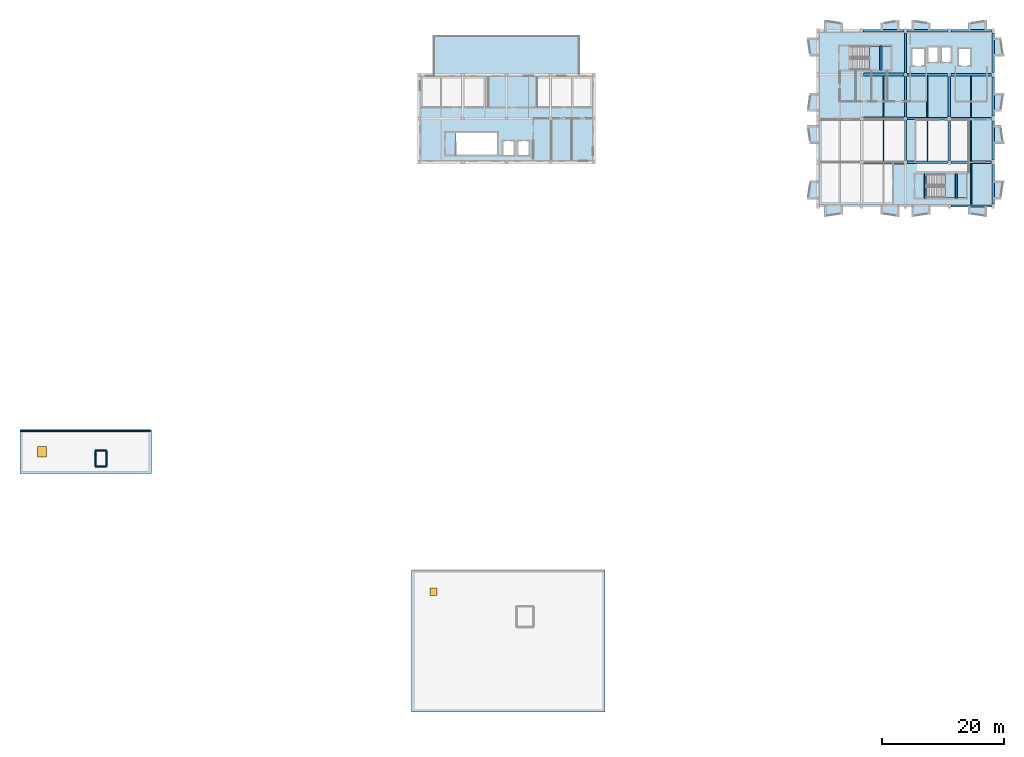
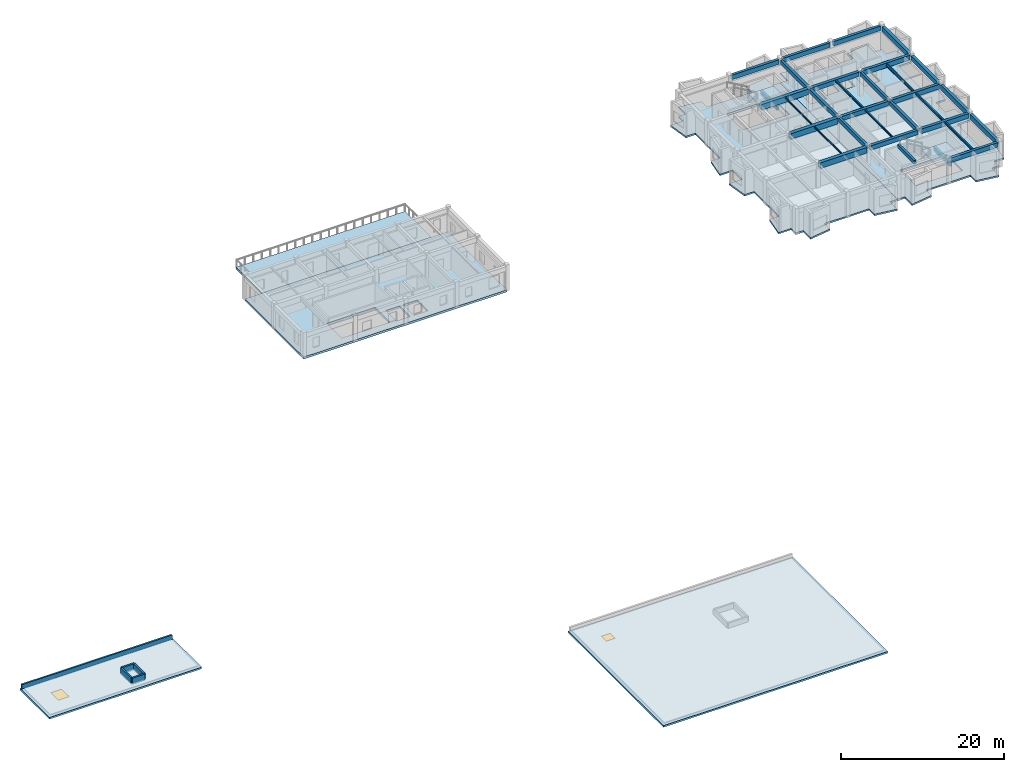
# One storey, part 2 of 12: 32 beams, 8 slabs, 5 walls, 2 windows, 2 openings, 2 elements without a shape of their own.
"""IFC4 building model written with IfcOpenShell, lengths in metres."""

from ifc_helpers import new_model, si_unit, direction, frame, frame_2d, origin, origin_2d, place, context, subcontext, project, spatial, polyline, rectangle, i_section, outline, extrude, material, layer, layer_set, material_profile, profile_set, type_object, element, fill, aggregate, save


model = new_model("IFC4")

# Units and contexts
model_context = context("Model", 3, precision=1e-05, world=origin(), true_north=direction((0.0, 1.0)))
body_context = subcontext(model_context, "Body", "Model", "MODEL_VIEW")
ifc_project = project(units=[si_unit("LENGTHUNIT", "METRE"), si_unit("AREAUNIT", "SQUARE_METRE"), si_unit("VOLUMEUNIT", "CUBIC_METRE"), si_unit("PLANEANGLEUNIT", "RADIAN"), si_unit("MASSUNIT", "GRAM", prefix="KILO")], contexts=[model_context])

# Site, building, storey
site_placement = place(None, origin())
site = spatial("IfcSite", under=ifc_project, at=site_placement, CompositionType="ELEMENT")
building_placement = place(site_placement, origin())
building = spatial("IfcBuilding", under=site, at=building_placement, Name="Bramveld Media Centre", CompositionType="ELEMENT")
storey_placement = place(building_placement, frame((0.0, 0.0, 21.89990234375)))
storey = spatial("IfcBuildingStorey", under=building, at=storey_placement, Name="L05", CompositionType="ELEMENT", Elevation=21.89990234375)

# Beams
ifc_material_1 = material(Name="Concrete C40/50", Category="concrete")
ifc_material_profile_1 = material_profile(ifc_material_1, rectangle(XDim=0.300048828125, YDim=0.5, at=origin_2d()), Name="RC 300x500")
ifc_profile_set_1 = profile_set([ifc_material_profile_1], Name="Concrete C40/50")
beam_type_1 = type_object("IfcBeamType", Name="BM-INT-RC-300x500", PredefinedType="BEAM", material=ifc_profile_set_1)
for number, where, z_axis, x_axis, name in (
    (1, (141.550048828125, 105.5, 1.5), (0.0, 1.0, 0.0), (-1.0, 0.0, 0.0), "ST-01 L05 stairwell half-landing support beam"),
    (2, (148.85009765625, 84.5, 3.650146484375), (0.0, 1.0, 0.0), (-1.0, 0.0, 0.0), "ST-02 L06 stairwell landing trimmer beam"),
    (3, (153.949951171875, 84.5, 1.5), (0.0, 1.0, 0.0), (-1.0, 0.0, 0.0), "ST-02 L05 stairwell half-landing support beam"),
):
    element("IfcBeam", number, at=place(storey_placement, frame(where, z_axis=z_axis, x_axis=x_axis)), inside=storey, type_object=beam_type_1, Name=name, PredefinedType="BEAM", context=body_context, shape_type="SweptSolid", body=[
        extrude(rectangle(XDim=0.300048828125, YDim=0.5, at=origin_2d()), origin(), (0.0, 0.0, 1.0), 4.050048828125),
    ])
ifc_material_2 = material(Name="Concrete C40/50", Category="concrete")
ifc_material_profile_2 = material_profile(ifc_material_2, rectangle(XDim=0.35009765625, YDim=0.60009765625, at=origin_2d()), Name="RC 350x600")
ifc_profile_set_2 = profile_set([ifc_material_profile_2], Name="Concrete C40/50")
beam_type_2 = type_object("IfcBeamType", Name="BM-INT-RC-350x600", PredefinedType="BEAM", material=ifc_profile_set_2)
for number, where, z_axis, x_axis, name in (
    (4, (145.60009765625, 90.675048828125, 3.360107421875), (0.0, 1.0, 0.0), (-1.0, 0.0, 0.0), "V7 L05 girder Y-1510"),
    (5, (145.60009765625, 97.875, 3.360107421875), (0.0, 1.0, 0.0), (-1.0, 0.0, 0.0), "V7 L05 girder Y-1511"),
):
    element("IfcBeam", number, at=place(storey_placement, frame(where, z_axis=z_axis, x_axis=x_axis)), inside=storey, type_object=beam_type_2, Name=name, PredefinedType="BEAM", context=body_context, shape_type="SweptSolid", body=[
        extrude(rectangle(XDim=0.35009765625, YDim=0.60009765625, at=origin_2d()), origin(), (0.0, 0.0, 1.0), 6.64990234375),
    ])
beam_1_placement = place(storey_placement, frame((145.60009765625, 105.074951171875, 3.360107421875), z_axis=(0.0, 1.0, 0.0), x_axis=(-1.0, 0.0, 0.0)))
element("IfcBeam", 6, at=beam_1_placement, inside=storey, type_object=beam_type_2, Name="V7 L05 girder Y-1512", PredefinedType="BEAM", context=body_context, shape_type="SweptSolid", body=[
    extrude(rectangle(XDim=0.35009765625, YDim=0.60009765625, at=origin_2d()), origin(), (0.0, 0.0, 1.0), 6.550048828125),
])
for number, where, z_axis, x_axis, name in (
    (7, (152.800048828125, 90.675048828125, 3.360107421875), (0.0, 1.0, 0.0), (-1.0, 0.0, 0.0), "V7 L05 girder Y-1513"),
    (8, (152.800048828125, 97.875, 3.360107421875), (0.0, 1.0, 0.0), (-1.0, 0.0, 0.0), "V7 L05 girder Y-1514"),
):
    element("IfcBeam", number, at=place(storey_placement, frame(where, z_axis=z_axis, x_axis=x_axis)), inside=storey, type_object=beam_type_2, Name=name, PredefinedType="BEAM", context=body_context, shape_type="SweptSolid", body=[
        extrude(rectangle(XDim=0.35009765625, YDim=0.60009765625, at=origin_2d()), origin(), (0.0, 0.0, 1.0), 6.64990234375),
    ])
ifc_material_3 = material(Name="Concrete C40/50", Category="concrete")
ifc_material_profile_3 = material_profile(ifc_material_3, rectangle(XDim=0.39990234375, YDim=0.64990234375, at=origin_2d()), Name="RC 400x650")
ifc_profile_set_3 = profile_set([ifc_material_profile_3], Name="Concrete C40/50")
beam_type_3 = type_object("IfcBeamType", Name="BM-INT-RC-400x650", PredefinedType="BEAM", material=ifc_profile_set_3)
for number, where, z_axis, x_axis, name in (
    (9, (145.875, 90.39990234375, 3.335205078125), (1.0, 0.0, 0.0), (0.0, 1.0, 0.0), "V7 L05 girder X-1488"),
    (10, (145.875, 97.60009765625, 3.335205078125), (1.0, 0.0, 0.0), (0.0, 1.0, 0.0), "V7 L05 girder X-1492"),
    (11, (145.875, 104.800048828125, 3.335205078125), (1.0, 0.0, 0.0), (0.0, 1.0, 0.0), "V7 L05 girder X-1496"),
):
    element("IfcBeam", number, at=place(storey_placement, frame(where, z_axis=z_axis, x_axis=x_axis)), inside=storey, type_object=beam_type_3, Name=name, PredefinedType="BEAM", context=body_context, shape_type="SweptSolid", body=[
        extrude(rectangle(XDim=0.39990234375, YDim=0.64990234375, at=origin_2d()), origin(), (0.0, 0.0, 1.0), 6.64990234375),
    ])
ifc_material_4 = material(Name="Concrete C40/50", Category="concrete")
ifc_material_profile_4 = material_profile(ifc_material_4, rectangle(XDim=0.39990234375, YDim=0.699951171875, at=origin_2d()), Name="RC 400x700")
ifc_profile_set_4 = profile_set([ifc_material_profile_4], Name="Concrete C40/50")
beam_type_4 = type_object("IfcBeamType", Name="BM-INT-RC-400x700", PredefinedType="BEAM", material=ifc_profile_set_4)
for number, where, z_axis, x_axis, name in (
    (12, (153.074951171875, 90.39990234375, 3.31005859375), (1.0, 0.0, 0.0), (0.0, 1.0, 0.0), "V7 L05 girder X-1489"),
    (13, (153.074951171875, 97.60009765625, 3.31005859375), (1.0, 0.0, 0.0), (0.0, 1.0, 0.0), "V7 L05 girder X-1493"),
    (14, (153.074951171875, 104.800048828125, 3.31005859375), (1.0, 0.0, 0.0), (0.0, 1.0, 0.0), "V7 L05 girder X-1497"),
):
    element("IfcBeam", number, at=place(storey_placement, frame(where, z_axis=z_axis, x_axis=x_axis)), inside=storey, type_object=beam_type_4, Name=name, PredefinedType="BEAM", context=body_context, shape_type="SweptSolid", body=[
        extrude(rectangle(XDim=0.39990234375, YDim=0.699951171875, at=origin_2d()), origin(), (0.0, 0.0, 1.0), 6.675048828125),
    ])
ifc_material_5 = material(Name="Concrete C40/50", Category="concrete")
ifc_material_profile_5 = material_profile(ifc_material_5, rectangle(XDim=0.5, YDim=0.85009765625, at=origin_2d()), Name="RC 500x850")
ifc_profile_set_5 = profile_set([ifc_material_profile_5], Name="Concrete C40/50")
beam_type_5 = type_object("IfcBeamType", Name="BM-INT-RC-500x850", PredefinedType="BEAM", material=ifc_profile_set_5)
for number, where, z_axis, x_axis, name in (
    (15, (138.675048828125, 90.39990234375, 3.235107421875), (1.0, 0.0, 0.0), (0.0, 1.0, 0.0), "V7 L05 girder X-1487"),
    (16, (138.675048828125, 97.60009765625, 3.235107421875), (1.0, 0.0, 0.0), (0.0, 1.0, 0.0), "V7 L05 girder X-1491"),
    (17, (138.675048828125, 104.800048828125, 3.235107421875), (1.0, 0.0, 0.0), (0.0, 1.0, 0.0), "V7 L05 girder X-1495"),
):
    element("IfcBeam", number, at=place(storey_placement, frame(where, z_axis=z_axis, x_axis=x_axis)), inside=storey, type_object=beam_type_5, Name=name, PredefinedType="BEAM", context=body_context, shape_type="SweptSolid", body=[
        extrude(rectangle(XDim=0.5, YDim=0.85009765625, at=origin_2d()), origin(), (0.0, 0.0, 1.0), 6.64990234375),
    ])
ifc_material_6 = material(Name="Steel S355J2", Category="steel")
ifc_material_profile_6 = material_profile(ifc_material_6, i_section(OverallWidth=0.110107421875, OverallDepth=0.219970703125, WebThickness=0.005859375, FlangeThickness=0.00927734375, FilletRadius=0.011962890625, at=origin_2d()), Name="IPE 220")
ifc_profile_set_6 = profile_set([ifc_material_profile_6], Name="Steel S355J2")
beam_type_6 = type_object("IfcBeamType", Name="SBM-INT-IPE-220", PredefinedType="JOIST", material=ifc_profile_set_6)
beam_2_placement = place(storey_placement, frame((142.0, 90.64990234375, 3.550048828125), z_axis=(0.0, 1.0, 0.0), x_axis=(-1.0, 0.0, 0.0)))
element("IfcBeam", 18, at=beam_2_placement, inside=storey, type_object=beam_type_6, Name="V7 L05 secondary floor joist 1523", PredefinedType="JOIST", context=body_context, shape_type="SweptSolid", body=[
    extrude(i_section(OverallWidth=0.110107421875, OverallDepth=0.219970703125, WebThickness=0.005859375, FlangeThickness=0.00927734375, FilletRadius=0.011962890625, at=origin_2d()), origin(), (0.0, 0.0, 1.0), 6.7001953125),
])
ifc_material_7 = material(Name="Steel S355J2", Category="steel")
ifc_material_profile_7 = material_profile(ifc_material_7, i_section(OverallWidth=0.1201171875, OverallDepth=0.239990234375, WebThickness=0.006103515625, FlangeThickness=0.009765625, FilletRadius=0.014892578125, at=origin_2d()), Name="IPE 240")
ifc_profile_set_7 = profile_set([ifc_material_profile_7], Name="Steel S355J2")
beam_type_7 = type_object("IfcBeamType", Name="SBM-INT-IPE-240", PredefinedType="JOIST", material=ifc_profile_set_7)
beam_3_placement = place(storey_placement, frame((142.0, 97.85009765625, 3.5400390625), z_axis=(0.0, 1.0, 0.0), x_axis=(-1.0, 0.0, 0.0)))
element("IfcBeam", 19, at=beam_3_placement, inside=storey, type_object=beam_type_7, Name="V7 L05 secondary floor joist 1524", PredefinedType="JOIST", context=body_context, shape_type="SweptSolid", body=[
    extrude(i_section(OverallWidth=0.1201171875, OverallDepth=0.239990234375, WebThickness=0.006103515625, FlangeThickness=0.009765625, FilletRadius=0.014892578125, at=origin_2d()), origin(), (0.0, 0.0, 1.0), 6.699951171875),
])
ifc_material_8 = material(Name="Steel S355J2", Category="steel")
ifc_material_profile_8 = material_profile(ifc_material_8, i_section(OverallWidth=0.135009765625, OverallDepth=0.27001953125, WebThickness=0.006591796875, FlangeThickness=0.01025390625, FilletRadius=0.014892578125, at=origin_2d()), Name="IPE 270")
ifc_profile_set_8 = profile_set([ifc_material_profile_8], Name="Steel S355J2")
beam_type_8 = type_object("IfcBeamType", Name="SBM-INT-IPE-270", PredefinedType="JOIST", material=ifc_profile_set_8)
beam_4_placement = place(storey_placement, frame((149.199951171875, 90.60009765625, 3.525146484375), z_axis=(0.0, 1.0, 0.0), x_axis=(-1.0, 0.0, 0.0)))
element("IfcBeam", 20, at=beam_4_placement, inside=storey, type_object=beam_type_8, Name="V7 L05 secondary floor joist 1525", PredefinedType="JOIST", context=body_context, shape_type="SweptSolid", body=[
    extrude(i_section(OverallWidth=0.135009765625, OverallDepth=0.27001953125, WebThickness=0.006591796875, FlangeThickness=0.01025390625, FilletRadius=0.014892578125, at=origin_2d()), origin(), (0.0, 0.0, 1.0), 6.7998046875),
])
ifc_material_9 = material(Name="Steel S355J2", Category="steel")
ifc_material_profile_9 = material_profile(ifc_material_9, i_section(OverallWidth=0.14990234375, OverallDepth=0.300048828125, WebThickness=0.007080078125, FlangeThickness=0.0107421875, FilletRadius=0.014892578125, at=origin_2d()), Name="IPE 300")
ifc_profile_set_9 = profile_set([ifc_material_profile_9], Name="Steel S355J2")
beam_type_9 = type_object("IfcBeamType", Name="SBM-INT-IPE-300", PredefinedType="JOIST", material=ifc_profile_set_9)
beam_5_placement = place(storey_placement, frame((149.199951171875, 97.800048828125, 3.510009765625), z_axis=(0.0, 1.0, 0.0), x_axis=(-1.0, 0.0, 0.0)))
element("IfcBeam", 21, at=beam_5_placement, inside=storey, type_object=beam_type_9, Name="V7 L05 secondary floor joist 1526", PredefinedType="JOIST", context=body_context, shape_type="SweptSolid", body=[
    extrude(i_section(OverallWidth=0.14990234375, OverallDepth=0.300048828125, WebThickness=0.007080078125, FlangeThickness=0.0107421875, FilletRadius=0.014892578125, at=origin_2d()), origin(), (0.0, 0.0, 1.0), 6.800048828125),
])
ifc_material_10 = material(Name="Steel S355J2", Category="steel")
ifc_material_profile_10 = material_profile(ifc_material_10, i_section(OverallWidth=0.159912109375, OverallDepth=0.330078125, WebThickness=0.007568359375, FlangeThickness=0.011474609375, FilletRadius=0.01806640625, at=origin_2d()), Name="IPE 330")
ifc_profile_set_10 = profile_set([ifc_material_profile_10], Name="Steel S355J2")
beam_type_10 = type_object("IfcBeamType", Name="SBM-INT-IPE-330", PredefinedType="JOIST", material=ifc_profile_set_10)
beam_6_placement = place(storey_placement, frame((156.39990234375, 83.389892578125, 3.4951171875), z_axis=(0.0, 1.0, 0.0), x_axis=(-1.0, 0.0, 0.0)))
element("IfcBeam", 22, at=beam_6_placement, inside=storey, type_object=beam_type_10, Name="V7 L05 secondary floor joist 1527", PredefinedType="JOIST", context=body_context, shape_type="SweptSolid", body=[
    extrude(i_section(OverallWidth=0.159912109375, OverallDepth=0.330078125, WebThickness=0.007568359375, FlangeThickness=0.011474609375, FilletRadius=0.01806640625, at=origin_2d()), origin(), (0.0, 0.0, 1.0), 6.81005859375),
])
ifc_material_11 = material(Name="Steel S355J2", Category="steel")
ifc_material_profile_11 = material_profile(ifc_material_11, i_section(OverallWidth=0.169921875, OverallDepth=0.360107421875, WebThickness=0.008056640625, FlangeThickness=0.0126953125, FilletRadius=0.01806640625, at=origin_2d()), Name="IPE 360")
ifc_profile_set_11 = profile_set([ifc_material_profile_11], Name="Steel S355J2")
beam_type_11 = type_object("IfcBeamType", Name="SBM-INT-IPE-360", PredefinedType="JOIST", material=ifc_profile_set_11)
beam_7_placement = place(storey_placement, frame((156.39990234375, 90.60009765625, 3.47998046875), z_axis=(0.0, 1.0, 0.0), x_axis=(-1.0, 0.0, 0.0)))
element("IfcBeam", 23, at=beam_7_placement, inside=storey, type_object=beam_type_11, Name="V7 L05 secondary floor joist 1528", PredefinedType="JOIST", context=body_context, shape_type="SweptSolid", body=[
    extrude(i_section(OverallWidth=0.169921875, OverallDepth=0.360107421875, WebThickness=0.008056640625, FlangeThickness=0.0126953125, FilletRadius=0.01806640625, at=origin_2d()), origin(), (0.0, 0.0, 1.0), 6.7998046875),
])
ifc_material_12 = material(Name="Steel S355J2", Category="steel")
ifc_material_profile_12 = material_profile(ifc_material_12, i_section(OverallWidth=0.179931640625, OverallDepth=0.39990234375, WebThickness=0.008544921875, FlangeThickness=0.013427734375, FilletRadius=0.02099609375, at=origin_2d()), Name="IPE 400")
ifc_profile_set_12 = profile_set([ifc_material_profile_12], Name="Steel S355J2")
beam_type_12 = type_object("IfcBeamType", Name="SBM-INT-IPE-400", PredefinedType="JOIST", material=ifc_profile_set_12)
beam_8_placement = place(storey_placement, frame((156.39990234375, 97.800048828125, 3.460205078125), z_axis=(0.0, 1.0, 0.0), x_axis=(-1.0, 0.0, 0.0)))
element("IfcBeam", 24, at=beam_8_placement, inside=storey, type_object=beam_type_12, Name="V7 L05 secondary floor joist 1529", PredefinedType="JOIST", context=body_context, shape_type="SweptSolid", body=[
    extrude(i_section(OverallWidth=0.179931640625, OverallDepth=0.39990234375, WebThickness=0.008544921875, FlangeThickness=0.013427734375, FilletRadius=0.02099609375, at=origin_2d()), origin(), (0.0, 0.0, 1.0), 6.800048828125),
])
ifc_material_13 = material(Name="Concrete C40/50", Category="concrete")
ifc_material_profile_13 = material_profile(ifc_material_13, rectangle(XDim=0.3798828125, YDim=0.679931640625, at=origin_2d()), Name="RC 380x680")
ifc_profile_set_13 = profile_set([ifc_material_profile_13], Name="Concrete C40/50")
beam_type_13 = type_object("IfcBeamType", Name="SPANDREL-EXT-RC-380x680", PredefinedType="SPANDREL", material=ifc_profile_set_13)
beam_9_placement = place(storey_placement, frame((153.050048828125, 83.199951171875, 3.320068359375), z_axis=(1.0, 0.0, 0.0), x_axis=(0.0, 1.0, 0.0)))
element("IfcBeam", 25, at=beam_9_placement, inside=storey, type_object=beam_type_13, Name="V7 L05 girder X-1485", PredefinedType="SPANDREL", context=body_context, shape_type="SweptSolid", body=[
    extrude(rectangle(XDim=0.3798828125, YDim=0.679931640625, at=origin_2d()), origin(), (0.0, 0.0, 1.0), 6.699951171875),
])
beam_10_placement = place(storey_placement, frame((138.64990234375, 112.0, 3.320068359375), z_axis=(1.0, 0.0, 0.0), x_axis=(0.0, 1.0, 0.0)))
element("IfcBeam", 26, at=beam_10_placement, inside=storey, type_object=beam_type_13, Name="V7 L05 girder X-1499", PredefinedType="SPANDREL", context=body_context, shape_type="SweptSolid", body=[
    extrude(rectangle(XDim=0.3798828125, YDim=0.679931640625, at=origin_2d()), origin(), (0.0, 0.0, 1.0), 6.7001953125),
])
for number, where, z_axis, x_axis, name in (
    (27, (145.85009765625, 112.0, 3.320068359375), (1.0, 0.0, 0.0), (0.0, 1.0, 0.0), "V7 L05 girder X-1500"),
    (28, (153.050048828125, 112.0, 3.320068359375), (1.0, 0.0, 0.0), (0.0, 1.0, 0.0), "V7 L05 girder X-1501"),
):
    element("IfcBeam", number, at=place(storey_placement, frame(where, z_axis=z_axis, x_axis=x_axis)), inside=storey, type_object=beam_type_13, Name=name, PredefinedType="SPANDREL", context=body_context, shape_type="SweptSolid", body=[
        extrude(rectangle(XDim=0.3798828125, YDim=0.679931640625, at=origin_2d()), origin(), (0.0, 0.0, 1.0), 6.699951171875),
    ])
ifc_material_14 = material(Name="Concrete C40/50", Category="concrete")
ifc_material_profile_14 = material_profile(ifc_material_14, rectangle(XDim=0.419921875, YDim=0.719970703125, at=origin_2d()), Name="RC 420x720")
ifc_profile_set_14 = profile_set([ifc_material_profile_14], Name="Concrete C40/50")
beam_type_14 = type_object("IfcBeamType", Name="SPANDREL-EXT-RC-420x720", PredefinedType="SPANDREL", material=ifc_profile_set_14)
beam_11_placement = place(storey_placement, frame((160.0, 83.574951171875, 3.300048828125), z_axis=(0.0, 1.0, 0.0), x_axis=(-1.0, 0.0, 0.0)))
element("IfcBeam", 29, at=beam_11_placement, inside=storey, type_object=beam_type_14, Name="V7 L05 girder Y-1515", PredefinedType="SPANDREL", context=body_context, shape_type="SweptSolid", body=[
    extrude(rectangle(XDim=0.419921875, YDim=0.719970703125, at=origin_2d()), origin(), (0.0, 0.0, 1.0), 6.449951171875),
])
beam_12_placement = place(storey_placement, frame((160.0, 90.77490234375, 3.300048828125), z_axis=(0.0, 1.0, 0.0), x_axis=(-1.0, 0.0, 0.0)))
element("IfcBeam", 30, at=beam_12_placement, inside=storey, type_object=beam_type_14, Name="V7 L05 girder Y-1516", PredefinedType="SPANDREL", context=body_context, shape_type="SweptSolid", body=[
    extrude(rectangle(XDim=0.419921875, YDim=0.719970703125, at=origin_2d()), origin(), (0.0, 0.0, 1.0), 6.4501953125),
])
for number, where, z_axis, x_axis, name in (
    (31, (160.0, 97.97509765625, 3.300048828125), (0.0, 1.0, 0.0), (-1.0, 0.0, 0.0), "V7 L05 girder Y-1517"),
    (32, (160.0, 105.175048828125, 3.300048828125), (0.0, 1.0, 0.0), (-1.0, 0.0, 0.0), "V7 L05 girder Y-1518"),
):
    element("IfcBeam", number, at=place(storey_placement, frame(where, z_axis=z_axis, x_axis=x_axis)), inside=storey, type_object=beam_type_14, Name=name, PredefinedType="SPANDREL", context=body_context, shape_type="SweptSolid", body=[
        extrude(rectangle(XDim=0.419921875, YDim=0.719970703125, at=origin_2d()), origin(), (0.0, 0.0, 1.0), 6.449951171875),
    ])

# Slab, opening, window
ifc_material_15 = material(Name="Concrete C40/50", Category="concrete")
ifc_layer_1 = layer(ifc_material_15, 0.241943359375)
ifc_layer_set_1 = layer_set([ifc_layer_1], Name="Concrete C40/50")
slab_type_1 = type_object("IfcSlabType", Name="ROOF-SLAB-242-10", PredefinedType="ROOF", material=ifc_layer_set_1)
slab_1_placement = place(storey_placement, frame((0.0, 0.0, -0.241943359375)))
slab_1 = element("IfcSlab", 33, at=slab_1_placement, inside=storey, type_object=slab_type_1, Name="V5 L05 flat roof slab", PredefinedType="ROOF", context=body_context, shape_type="SweptSolid", body=[
    extrude(outline(polyline([(64.39990234375, 0.0), (96.199951171875, 0.0), (96.199951171875, 23.39990234375), (64.39990234375, 23.39990234375), (64.39990234375, 0.0)])), origin(), (0.0, 0.0, 1.0), 0.241943359375),
])
opening_1_placement = place(slab_1_placement, frame((68.0, 19.800048828125, 0.0)))
opening_1 = element("IfcOpeningElement", 34, at=opening_1_placement, cuts=slab_1, Name="Opening SK-01", PredefinedType="OPENING", context=body_context, shape_type="SweptSolid", body=[
    extrude(rectangle(XDim=1.199951171875, YDim=1.199951171875, at=origin_2d()), origin(), (0.0, 0.0, 1.0), 0.241943359375),
])
ifc_material_16 = material(Name="Insulated aluminium smoke-ventilation & maintenance roof skylight hatch", Category="aluminium")
window_type_1 = type_object("IfcWindowType", Name="SKY-HATCH-01", PartitioningType="SINGLE_PANEL", PredefinedType="SKYLIGHT", material=ifc_material_16)
window_1_placement = place(opening_1_placement, frame((0.0, 0.0, 0.19189453125)))
window_1 = element("IfcWindow", 35, at=window_1_placement, inside=storey, type_object=window_type_1, Name="Roof maintenance & smoke-vent skylight hatch 9", OverallHeight=1.199951171875, OverallWidth=1.199951171875, PartitioningType="SINGLE_PANEL", PredefinedType="SKYLIGHT", context=body_context, shape_type="SweptSolid", body=[
    extrude(rectangle(XDim=1.199951171875, YDim=1.199951171875, at=origin_2d()), origin(), (0.0, 0.0, 1.0), 0.050048828125),
])
fill(opening_1, window_1)

ifc_material_17 = material(Name="Concrete C40/50", Category="concrete")
ifc_layer_2 = layer(ifc_material_17, 0.2451171875)
ifc_layer_set_2 = layer_set([ifc_layer_2], Name="Concrete C40/50")
slab_type_2 = type_object("IfcSlabType", Name="ROOF-SLAB-245-03", PredefinedType="ROOF", material=ifc_layer_set_2)
slab_2_placement = place(storey_placement, frame((0.0, 0.0, -0.244873046875)))
slab_2 = element("IfcSlab", 36, at=slab_2_placement, inside=storey, type_object=slab_type_2, Name="V3 L05 flat roof slab", PredefinedType="ROOF", context=body_context, shape_type="SweptSolid", body=[
    extrude(outline(polyline([(0.0, 39.199951171875), (21.60009765625, 39.199951171875), (21.60009765625, 46.39990234375), (0.0, 46.39990234375), (0.0, 39.199951171875)])), origin(), (0.0, 0.0, 1.0), 0.244873046875),
])
opening_2_placement = place(slab_2_placement, frame((3.60009765625, 42.800048828125, 0.0)))
opening_2 = element("IfcOpeningElement", 37, at=opening_2_placement, cuts=slab_2, Name="Opening SK-03", PredefinedType="OPENING", context=body_context, shape_type="SweptSolid", body=[
    extrude(rectangle(XDim=1.5, YDim=1.800048828125, at=origin_2d()), origin(), (0.0, 0.0, 1.0), 0.244873046875),
])
ifc_material_18 = material(Name="Insulated aluminium smoke-ventilation & maintenance roof skylight hatch", Category="aluminium")
window_type_2 = type_object("IfcWindowType", Name="SKY-HATCH-03", PartitioningType="SINGLE_PANEL", PredefinedType="SKYLIGHT", material=ifc_material_18)
window_2_placement = place(opening_2_placement, frame((0.0, 0.0, 0.19482421875)))
window_2 = element("IfcWindow", 38, at=window_2_placement, inside=storey, type_object=window_type_2, Name="Roof maintenance & smoke-vent skylight hatch 2", OverallHeight=1.800048828125, OverallWidth=1.5, PartitioningType="SINGLE_PANEL", PredefinedType="SKYLIGHT", context=body_context, shape_type="SweptSolid", body=[
    extrude(rectangle(XDim=1.5, YDim=1.800048828125, at=origin_2d()), origin(), (0.0, 0.0, 1.0), 0.050048828125),
])
fill(opening_2, window_2)

# Slabs
ifc_material_19 = material(Name="Precast concrete C40/50", Category="concrete")
ifc_layer_3 = layer(ifc_material_19, 0.239990234375)
ifc_layer_set_3 = layer_set([ifc_layer_3], Name="Precast concrete C40/50")
slab_type_3 = type_object("IfcSlabType", Name="SLAB-FLOOR-EXT-240", PredefinedType="FLOOR", material=ifc_layer_set_3)
slab_3_placement = place(storey_placement, frame((0.0, 0.0, -0.239990234375)))
element("IfcSlab", 39, at=slab_3_placement, inside=storey, type_object=slab_type_3, Name="Curatorial Panorama Loggia", PredefinedType="FLOOR", context=body_context, shape_type="SweptSolid", body=[
    extrude(outline(polyline([(68.0, 104.800048828125), (92.0, 104.800048828125), (92.0, 111.199951171875), (68.0, 111.199951171875), (68.0, 104.800048828125)])), origin(), (0.0, 0.0, 1.0), 0.239990234375),
])
ifc_material_20 = material(Name="Concrete C40/50", Category="concrete")
ifc_layer_4 = layer(ifc_material_20, 0.239990234375)
ifc_layer_set_4 = layer_set([ifc_layer_4], Name="Concrete C40/50")
slab_type_4 = type_object("IfcSlabType", Name="SLAB-FLOOR-INT-240", PredefinedType="FLOOR", material=ifc_layer_set_4)
slab_4_placement = place(storey_placement, frame((0.0, 0.0, -0.239990234375)))
element("IfcSlab", 40, at=slab_4_placement, inside=storey, type_object=slab_type_4, Name="V7 L05 structural slab 1", PredefinedType="FLOOR", context=body_context, shape_type="SweptSolid", body=[
    extrude(outline(polyline([(131.199951171875, 84.35009765625), (129.406982421875, 84.35009765625), (129.85009765625, 87.35009765625), (131.199951171875, 87.35009765625), (131.199951171875, 93.449951171875), (129.85009765625, 93.449951171875), (129.406982421875, 96.449951171875), (131.199951171875, 96.449951171875), (131.199951171875, 98.75), (129.406982421875, 98.75), (129.85009765625, 101.75), (131.199951171875, 101.75), (131.199951171875, 107.85009765625), (129.85009765625, 107.85009765625), (129.406982421875, 110.85009765625), (131.199951171875, 110.85009765625), (131.199951171875, 112.0), (132.25, 112.0), (132.25, 113.79296875), (135.25, 113.35009765625), (135.25, 112.0), (141.550048828125, 112.0), (141.550048828125, 113.35009765625), (144.550048828125, 113.79296875), (144.550048828125, 112.0), (145.60009765625, 112.0), (145.60009765625, 83.199951171875), (144.550048828125, 83.199951171875), (144.550048828125, 81.406982421875), (141.550048828125, 81.85009765625), (141.550048828125, 83.199951171875), (135.25, 83.199951171875), (135.25, 81.85009765625), (132.25, 81.406982421875), (132.25, 83.199951171875), (131.199951171875, 83.199951171875), (131.199951171875, 84.35009765625)]), holes=[polyline([(143.199951171875, 109.449951171875), (136.60009765625, 109.449951171875), (136.60009765625, 105.60009765625), (143.199951171875, 105.60009765625), (143.199951171875, 109.449951171875)])]), origin(), (0.0, 0.0, 1.0), 0.239990234375),
])
slab_5_placement = place(storey_placement, frame((0.0, 0.0, -0.239990234375)))
element("IfcSlab", 41, at=slab_5_placement, inside=storey, type_object=slab_type_4, Name="V7 L05 structural slab 2", PredefinedType="FLOOR", context=body_context, shape_type="SweptSolid", body=[
    extrude(outline(polyline([(146.64990234375, 113.79296875), (149.64990234375, 113.35009765625), (149.64990234375, 112.0), (155.949951171875, 112.0), (155.949951171875, 113.35009765625), (158.949951171875, 113.79296875), (158.949951171875, 112.0), (160.0, 112.0), (160.0, 110.85009765625), (161.35009765625, 110.85009765625), (161.79296875, 107.85009765625), (160.0, 107.85009765625), (160.0, 101.75), (161.79296875, 101.75), (161.35009765625, 98.75), (160.0, 98.75), (160.0, 96.449951171875), (161.35009765625, 96.449951171875), (161.79296875, 93.449951171875), (160.0, 93.449951171875), (160.0, 87.35009765625), (161.79296875, 87.35009765625), (161.35009765625, 84.35009765625), (160.0, 84.35009765625), (160.0, 83.199951171875), (158.949951171875, 83.199951171875), (158.949951171875, 81.406982421875), (155.949951171875, 81.85009765625), (155.949951171875, 83.199951171875), (149.64990234375, 83.199951171875), (149.64990234375, 81.85009765625), (146.64990234375, 81.406982421875), (146.64990234375, 83.199951171875), (145.60009765625, 83.199951171875), (145.60009765625, 112.0), (146.64990234375, 112.0), (146.64990234375, 113.79296875)]), holes=[polyline([(149.0, 88.449951171875), (149.0, 84.60009765625), (155.60009765625, 84.60009765625), (155.60009765625, 88.449951171875), (149.0, 88.449951171875)]), polyline([(146.60009765625, 109.199951171875), (146.60009765625, 106.199951171875), (148.800048828125, 106.199951171875), (148.800048828125, 109.199951171875), (146.60009765625, 109.199951171875)]), polyline([(154.199951171875, 106.199951171875), (156.39990234375, 106.199951171875), (156.39990234375, 109.199951171875), (154.199951171875, 109.199951171875), (154.199951171875, 106.199951171875)]), polyline([(149.199951171875, 109.39990234375), (149.199951171875, 106.800048828125), (151.0, 106.800048828125), (151.0, 109.39990234375), (149.199951171875, 109.39990234375)]), polyline([(151.39990234375, 109.39990234375), (151.39990234375, 106.800048828125), (153.199951171875, 106.800048828125), (153.199951171875, 109.39990234375), (151.39990234375, 109.39990234375)])]), origin(), (0.0, 0.0, 1.0), 0.239990234375),
])
ifc_material_21 = material(Name="Concrete C40/50", Category="concrete")
ifc_layer_5 = layer(ifc_material_21, 0.320068359375)
ifc_layer_set_5 = layer_set([ifc_layer_5], Name="Concrete C40/50")
slab_type_5 = type_object("IfcSlabType", Name="SLAB-FLOOR-INT-320", PredefinedType="FLOOR", material=ifc_layer_set_5)
slab_6_placement = place(storey_placement, frame((0.0, 0.0, -0.31982421875)))
element("IfcSlab", 42, at=slab_6_placement, inside=storey, type_object=slab_type_5, Name="V6 L05 structural slab 1", PredefinedType="FLOOR", context=body_context, shape_type="SweptSolid", body=[
    extrude(outline(polyline([(65.60009765625, 104.800048828125), (94.39990234375, 104.800048828125), (94.39990234375, 90.39990234375), (65.60009765625, 90.39990234375), (65.60009765625, 104.800048828125)]), holes=[polyline([(81.300048828125, 91.39990234375), (81.300048828125, 94.0), (79.300048828125, 94.0), (79.300048828125, 91.39990234375), (81.300048828125, 91.39990234375)]), polyline([(81.800048828125, 91.39990234375), (83.800048828125, 91.39990234375), (83.800048828125, 94.0), (81.800048828125, 94.0), (81.800048828125, 91.39990234375)]), polyline([(71.699951171875, 95.25), (71.699951171875, 91.60009765625), (78.5, 91.60009765625), (78.5, 95.25), (71.699951171875, 95.25)])]), origin(), (0.0, 0.0, 1.0), 0.31982421875),
])

# Stair, slab
ifc_material_22 = material(Name="Concrete C40/50", Category="concrete")
stair_type_1 = type_object("IfcStairType", Name="STAIR-ST-01-24R-1800", PredefinedType="HALF_TURN_STAIR", material=ifc_material_22)
stair_1_placement = place(storey_placement, origin())
stair_1 = element("IfcStair", 43, at=stair_1_placement, inside=storey, type_object=stair_type_1, Name="L05 Core A1 Pressurized Firefighting Stair", PredefinedType="HALF_TURN_STAIR")
ifc_material_23 = material(Name="Concrete C40/50", Category="concrete")
ifc_layer_6 = layer(ifc_material_23, 0.199951171875)
ifc_layer_set_6 = layer_set([ifc_layer_6], Name="Concrete C40/50")
slab_type_6 = type_object("IfcSlabType", Name="SLAB-STAIR-LAND-200", PredefinedType="LANDING", material=ifc_layer_set_6)
slab_7_placement = place(storey_placement, frame((0.0, 0.0, 1.75)))
slab_7 = element("IfcSlab", 44, at=slab_7_placement, type_object=slab_type_6, Name="ST-01 landing 1", PredefinedType="LANDING", context=body_context, shape_type="SweptSolid", body=[
    extrude(outline(polyline([(139.679931640625, 105.60009765625), (143.199951171875, 105.60009765625), (143.199951171875, 109.449951171875), (139.679931640625, 109.449951171875), (139.679931640625, 105.60009765625)])), origin(), (0.0, 0.0, 1.0), 0.2001953125),
])
aggregate(stair_1, [slab_7])

ifc_material_24 = material(Name="Concrete C40/50", Category="concrete")
stair_type_2 = type_object("IfcStairType", Name="STAIR-ST-02-24R-1800", PredefinedType="HALF_TURN_STAIR", material=ifc_material_24)
stair_2_placement = place(storey_placement, origin())
stair_2 = element("IfcStair", 45, at=stair_2_placement, inside=storey, type_object=stair_type_2, Name="L05 Core A2 Pressurized Escape Stair", PredefinedType="HALF_TURN_STAIR")
slab_8_placement = place(storey_placement, frame((0.0, 0.0, 1.75)))
slab_8 = element("IfcSlab", 46, at=slab_8_placement, type_object=slab_type_6, Name="ST-02 landing 1", PredefinedType="LANDING", context=body_context, shape_type="SweptSolid", body=[
    extrude(outline(polyline([(152.080078125, 84.60009765625), (155.60009765625, 84.60009765625), (155.60009765625, 88.449951171875), (152.080078125, 88.449951171875), (152.080078125, 84.60009765625)])), origin(), (0.0, 0.0, 1.0), 0.2001953125),
])
aggregate(stair_2, [slab_8])

# Walls
ifc_material_25 = material(Name="Precast concrete C40/50 capped brick roof parapet", Category="masonry")
ifc_layer_7 = layer(ifc_material_25, 0.239990234375)
ifc_layer_set_7 = layer_set([ifc_layer_7], Name="Precast concrete C40/50 capped brick roof parapet")
wall_type = type_object("IfcWallType", Name="PARAPET-240", PredefinedType="PARAPET", material=ifc_layer_set_7)
wall_placement = place(storey_placement, frame((0.14990234375, 46.280029296875, 0.0), z_axis=(0.0, 0.0, 1.0), x_axis=(1.0, 0.0, 0.0)))
element("IfcWall", 47, at=wall_placement, inside=storey, type_object=wall_type, Name="V3 L05 roof parapet upstand", PredefinedType="PARAPET", context=body_context, shape_type="SweptSolid", body=[
    extrude(rectangle(XDim=21.300048828125, YDim=0.239990234375, at=frame_2d((10.64990234375, 0.0))), origin(), (0.0, 0.0, 1.0), 0.650146484375),
])
for number, where, z_axis, x_axis, name in (
    (48, (12.39990234375, 40.39990234375, 0.0), (0.0, 0.0, 1.0), (1.0, 0.0, 0.0), "PL-05 lift shaft overrun housing curb S"),
    (49, (14.199951171875, 43.0, 0.0), (0.0, 0.0, 1.0), (-1.0, 0.0, 0.0), "PL-05 lift shaft overrun housing curb N"),
):
    element("IfcWall", number, at=place(storey_placement, frame(where, z_axis=z_axis, x_axis=x_axis)), inside=storey, type_object=wall_type, Name=name, PredefinedType="PARAPET", context=body_context, shape_type="SweptSolid", body=[
        extrude(rectangle(XDim=1.800048828125, YDim=0.239990234375, at=frame_2d((0.89990234375, 0.0))), origin(), (0.0, 0.0, 1.0), 0.900146484375),
    ])
for number, where, z_axis, x_axis, name in (
    (50, (12.39990234375, 43.0, 0.0), (0.0, 0.0, 1.0), (0.0, -1.0, 0.0), "PL-05 lift shaft overrun housing curb W"),
    (51, (14.199951171875, 40.39990234375, 0.0), (0.0, 0.0, 1.0), (0.0, 1.0, 0.0), "PL-05 lift shaft overrun housing curb E"),
):
    element("IfcWall", number, at=place(storey_placement, frame(where, z_axis=z_axis, x_axis=x_axis)), inside=storey, type_object=wall_type, Name=name, PredefinedType="PARAPET", context=body_context, shape_type="SweptSolid", body=[
        extrude(rectangle(XDim=2.60009765625, YDim=0.239990234375, at=frame_2d((1.300048828125, 0.0))), origin(), (0.0, 0.0, 1.0), 0.900146484375),
    ])

save(model, "model.ifc")
